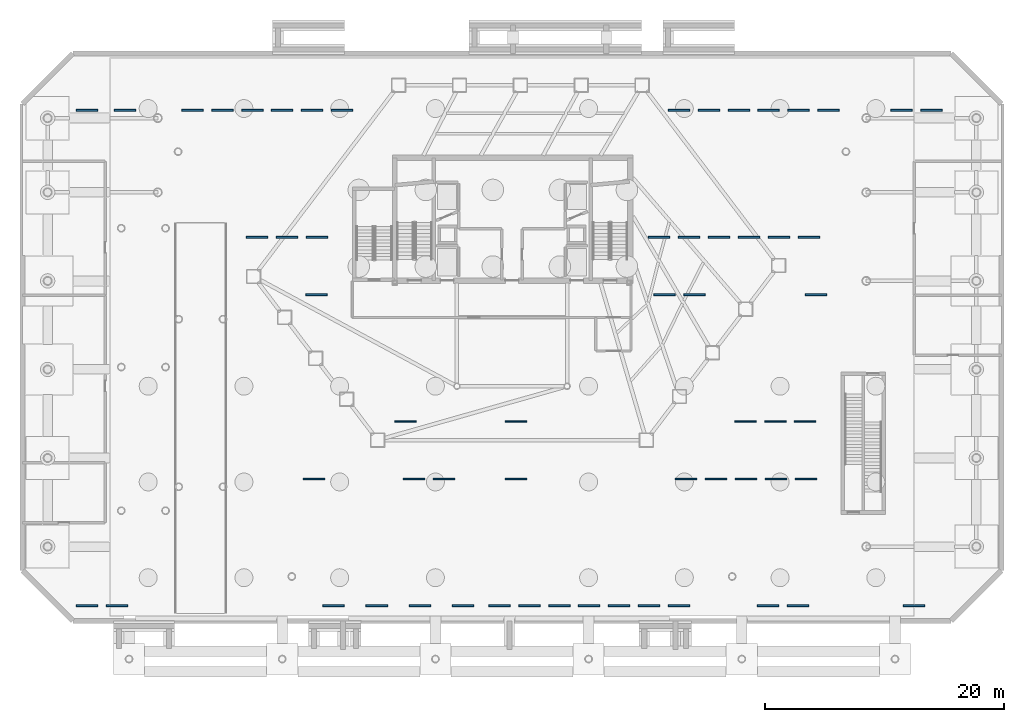
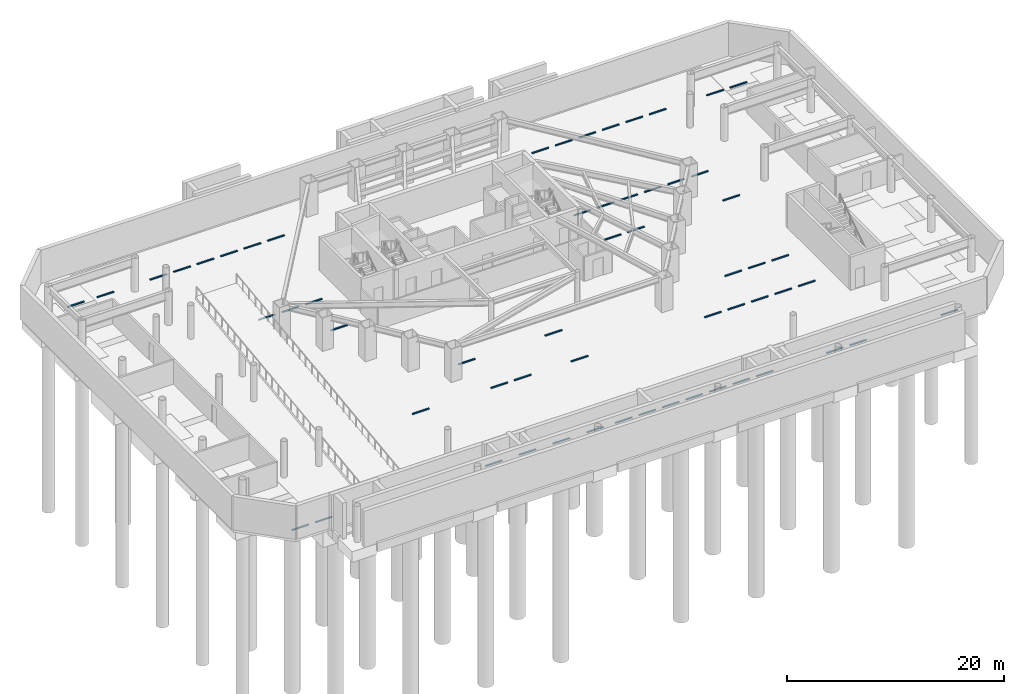
# One storey, part 15 of 19: 59 discrete accessories.
"""IFC4 building model written with IfcOpenShell, lengths in metres."""

from ifc_helpers import new_model, si_unit, direction, frame, origin, origin_2d, place, context, subcontext, project, spatial, rectangle, extrude, material, type_object, element, save


model = new_model("IFC4")

# Units and contexts
model_context = context("Model", 3, precision=1e-05, world=origin(), true_north=direction((0.0, 1.0)))
body_context = subcontext(model_context, "Body", "Model", "MODEL_VIEW")
ifc_project = project(units=[si_unit("LENGTHUNIT", "METRE"), si_unit("AREAUNIT", "SQUARE_METRE"), si_unit("VOLUMEUNIT", "CUBIC_METRE"), si_unit("PLANEANGLEUNIT", "RADIAN"), si_unit("MASSUNIT", "GRAM", prefix="KILO")], contexts=[model_context])

# Site, building, storey
site_placement = place(None, origin())
site = spatial("IfcSite", under=ifc_project, at=site_placement, CompositionType="ELEMENT")
building_placement = place(site_placement, origin())
building = spatial("IfcBuilding", under=site, at=building_placement, Name="Zarrinselat Tower", CompositionType="ELEMENT")
storey_placement = place(building_placement, frame((0.0, 0.0, -8.159912109375)))
storey = spatial("IfcBuildingStorey", under=building, at=storey_placement, Name="B02", CompositionType="ELEMENT", Elevation=-8.159912109375)

# Discrete accessories
ifc_material = material(Name="Precast concrete C40/50", Category="concrete")
discrete_accessory_type = type_object("IfcDiscreteAccessoryType", Name="ACC-WHEEL-STOP", PredefinedType="USERDEFINED", material=ifc_material)
for number, where, z_axis, x_axis, name in (
    (1, (23.5, 6.050048828125, -0.000244140625), (0.0, 0.0, 1.0), (1.0, 0.0, 0.0), "B02 Accessible Parking Bay 01 Wheel Stop"),
    (2, (27.10009765625, 6.050048828125, -0.000244140625), (0.0, 0.0, 1.0), (1.0, 0.0, 0.0), "B02 Accessible Parking Bay 02 Wheel Stop"),
    (3, (30.699951171875, 6.050048828125, -0.000244140625), (0.0, 0.0, 1.0), (1.0, 0.0, 0.0), "B02 Accessible Parking Bay 03 Wheel Stop"),
    (4, (34.300048828125, 6.050048828125, -0.000244140625), (0.0, 0.0, 1.0), (1.0, 0.0, 0.0), "B02 Accessible Parking Bay 04 Wheel Stop"),
    (5, (37.35009765625, 6.050048828125, -0.000244140625), (0.0, 0.0, 1.0), (1.0, 0.0, 0.0), "B02 Car Parking Bay 001 Wheel Stop"),
    (6, (39.85009765625, 6.050048828125, -0.000244140625), (0.0, 0.0, 1.0), (1.0, 0.0, 0.0), "B02 Car Parking Bay 002 Wheel Stop"),
    (7, (42.35009765625, 6.050048828125, -0.000244140625), (0.0, 0.0, 1.0), (1.0, 0.0, 0.0), "B02 Car Parking Bay 003 Wheel Stop"),
    (8, (44.85009765625, 6.050048828125, -0.000244140625), (0.0, 0.0, 1.0), (1.0, 0.0, 0.0), "B02 Car Parking Bay 004 Wheel Stop"),
    (9, (47.35009765625, 6.050048828125, -0.000244140625), (0.0, 0.0, 1.0), (1.0, 0.0, 0.0), "B02 Car Parking Bay 005 Wheel Stop"),
    (10, (49.85009765625, 6.050048828125, -0.000244140625), (0.0, 0.0, 1.0), (1.0, 0.0, 0.0), "B02 Car Parking Bay 006 Wheel Stop"),
    (11, (52.35009765625, 6.050048828125, -0.000244140625), (0.0, 0.0, 1.0), (1.0, 0.0, 0.0), "B02 Car Parking Bay 007 Wheel Stop"),
    (12, (59.800048828125, 6.050048828125, -0.000244140625), (0.0, 0.0, 1.0), (1.0, 0.0, 0.0), "B02 Car Parking Bay 008 Wheel Stop"),
    (13, (62.300048828125, 6.050048828125, -0.000244140625), (0.0, 0.0, 1.0), (1.0, 0.0, 0.0), "B02 Car Parking Bay 009 Wheel Stop"),
    (14, (72.0, 6.050048828125, -0.000244140625), (0.0, 0.0, 1.0), (1.0, 0.0, 0.0), "B02 Car Parking Bay 010 Wheel Stop"),
    (15, (6.050048828125, 47.449951171875, -0.000244140625), (0.0, 0.0, 1.0), (1.0, 0.0, 0.0), "B02 Car Parking Bay 011 Wheel Stop"),
    (16, (11.699951171875, 47.449951171875, -0.000244140625), (0.0, 0.0, 1.0), (1.0, 0.0, 0.0), "B02 Car Parking Bay 012 Wheel Stop"),
    (17, (14.199951171875, 47.449951171875, -0.000244140625), (0.0, 0.0, 1.0), (1.0, 0.0, 0.0), "B02 Car Parking Bay 013 Wheel Stop"),
    (18, (16.699951171875, 47.449951171875, -0.000244140625), (0.0, 0.0, 1.0), (1.0, 0.0, 0.0), "B02 Car Parking Bay 014 Wheel Stop"),
    (19, (19.199951171875, 47.449951171875, -0.000244140625), (0.0, 0.0, 1.0), (1.0, 0.0, 0.0), "B02 Car Parking Bay 015 Wheel Stop"),
    (20, (21.699951171875, 47.449951171875, -0.000244140625), (0.0, 0.0, 1.0), (1.0, 0.0, 0.0), "B02 Car Parking Bay 016 Wheel Stop"),
    (21, (24.199951171875, 47.449951171875, -0.000244140625), (0.0, 0.0, 1.0), (1.0, 0.0, 0.0), "B02 Car Parking Bay 017 Wheel Stop"),
    (22, (52.35009765625, 47.449951171875, -0.000244140625), (0.0, 0.0, 1.0), (1.0, 0.0, 0.0), "B02 Car Parking Bay 018 Wheel Stop"),
    (23, (54.85009765625, 47.449951171875, -0.000244140625), (0.0, 0.0, 1.0), (1.0, 0.0, 0.0), "B02 Car Parking Bay 019 Wheel Stop"),
    (24, (57.35009765625, 47.449951171875, -0.000244140625), (0.0, 0.0, 1.0), (1.0, 0.0, 0.0), "B02 Car Parking Bay 020 Wheel Stop"),
    (25, (59.85009765625, 47.449951171875, -0.000244140625), (0.0, 0.0, 1.0), (1.0, 0.0, 0.0), "B02 Car Parking Bay 021 Wheel Stop"),
    (26, (62.35009765625, 47.449951171875, -0.000244140625), (0.0, 0.0, 1.0), (1.0, 0.0, 0.0), "B02 Car Parking Bay 022 Wheel Stop"),
    (27, (64.85009765625, 47.449951171875, -0.000244140625), (0.0, 0.0, 1.0), (1.0, 0.0, 0.0), "B02 Car Parking Bay 023 Wheel Stop"),
    (28, (70.949951171875, 47.449951171875, -0.000244140625), (0.0, 0.0, 1.0), (1.0, 0.0, 0.0), "B02 Car Parking Bay 024 Wheel Stop"),
    (29, (73.449951171875, 47.449951171875, -0.000244140625), (0.0, 0.0, 1.0), (1.0, 0.0, 0.0), "B02 Car Parking Bay 025 Wheel Stop"),
    (30, (21.85009765625, 16.64990234375, -0.000244140625), (0.0, 0.0, 1.0), (1.0, 0.0, 0.0), "B02 Car Parking Bay 026 Wheel Stop"),
    (31, (30.199951171875, 16.64990234375, -0.000244140625), (0.0, 0.0, 1.0), (1.0, 0.0, 0.0), "B02 Car Parking Bay 027 Wheel Stop"),
    (32, (32.699951171875, 16.64990234375, -0.000244140625), (0.0, 0.0, 1.0), (1.0, 0.0, 0.0), "B02 Car Parking Bay 028 Wheel Stop"),
    (33, (29.5, 21.449951171875, -0.000244140625), (0.0, 0.0, 1.0), (1.0, 0.0, 0.0), "B02 Car Parking Bay 029 Wheel Stop"),
    (34, (52.949951171875, 16.64990234375, -0.000244140625), (0.0, 0.0, 1.0), (1.0, 0.0, 0.0), "B02 Car Parking Bay 030 Wheel Stop"),
    (35, (55.449951171875, 16.64990234375, -0.000244140625), (0.0, 0.0, 1.0), (1.0, 0.0, 0.0), "B02 Car Parking Bay 031 Wheel Stop"),
    (36, (57.949951171875, 16.64990234375, -0.000244140625), (0.0, 0.0, 1.0), (1.0, 0.0, 0.0), "B02 Car Parking Bay 032 Wheel Stop"),
    (37, (60.449951171875, 16.64990234375, -0.000244140625), (0.0, 0.0, 1.0), (1.0, 0.0, 0.0), "B02 Car Parking Bay 033 Wheel Stop"),
    (38, (62.949951171875, 16.64990234375, -0.000244140625), (0.0, 0.0, 1.0), (1.0, 0.0, 0.0), "B02 Car Parking Bay 034 Wheel Stop"),
    (39, (57.89990234375, 21.449951171875, -0.000244140625), (0.0, 0.0, 1.0), (1.0, 0.0, 0.0), "B02 Car Parking Bay 035 Wheel Stop"),
    (40, (60.39990234375, 21.449951171875, -0.000244140625), (0.0, 0.0, 1.0), (1.0, 0.0, 0.0), "B02 Car Parking Bay 036 Wheel Stop"),
    (41, (62.89990234375, 21.449951171875, -0.000244140625), (0.0, 0.0, 1.0), (1.0, 0.0, 0.0), "B02 Car Parking Bay 037 Wheel Stop"),
    (42, (50.699951171875, 36.85009765625, -0.000244140625), (0.0, 0.0, 1.0), (1.0, 0.0, 0.0), "B02 Car Parking Bay 038 Wheel Stop"),
    (43, (53.199951171875, 36.85009765625, -0.000244140625), (0.0, 0.0, 1.0), (1.0, 0.0, 0.0), "B02 Car Parking Bay 039 Wheel Stop"),
    (44, (55.699951171875, 36.85009765625, -0.000244140625), (0.0, 0.0, 1.0), (1.0, 0.0, 0.0), "B02 Car Parking Bay 040 Wheel Stop"),
    (45, (58.199951171875, 36.85009765625, -0.000244140625), (0.0, 0.0, 1.0), (1.0, 0.0, 0.0), "B02 Car Parking Bay 041 Wheel Stop"),
    (46, (60.699951171875, 36.85009765625, -0.000244140625), (0.0, 0.0, 1.0), (1.0, 0.0, 0.0), "B02 Car Parking Bay 042 Wheel Stop"),
    (47, (63.199951171875, 36.85009765625, -0.000244140625), (0.0, 0.0, 1.0), (1.0, 0.0, 0.0), "B02 Car Parking Bay 043 Wheel Stop"),
    (48, (51.14990234375, 32.050048828125, -0.000244140625), (0.0, 0.0, 1.0), (1.0, 0.0, 0.0), "B02 Car Parking Bay 044 Wheel Stop"),
    (49, (53.64990234375, 32.050048828125, -0.000244140625), (0.0, 0.0, 1.0), (1.0, 0.0, 0.0), "B02 Car Parking Bay 045 Wheel Stop"),
    (50, (63.800048828125, 32.050048828125, -0.000244140625), (0.0, 0.0, 1.0), (1.0, 0.0, 0.0), "B02 Car Parking Bay 046 Wheel Stop"),
    (51, (17.10009765625, 36.85009765625, -0.000244140625), (0.0, 0.0, 1.0), (1.0, 0.0, 0.0), "B02 Car Parking Bay 047 Wheel Stop"),
    (52, (19.60009765625, 36.85009765625, -0.000244140625), (0.0, 0.0, 1.0), (1.0, 0.0, 0.0), "B02 Car Parking Bay 048 Wheel Stop"),
    (53, (22.10009765625, 36.85009765625, -0.000244140625), (0.0, 0.0, 1.0), (1.0, 0.0, 0.0), "B02 Car Parking Bay 049 Wheel Stop"),
    (54, (22.050048828125, 32.050048828125, -0.000244140625), (0.0, 0.0, 1.0), (1.0, 0.0, 0.0), "B02 Car Parking Bay 050 Wheel Stop"),
    (55, (2.89990234375, 6.050048828125, -0.000244140625), (0.0, 0.0, 1.0), (1.0, 0.0, 0.0), "B02 Car Parking Bay 051 Wheel Stop"),
    (56, (5.39990234375, 6.050048828125, -0.000244140625), (0.0, 0.0, 1.0), (1.0, 0.0, 0.0), "B02 Car Parking Bay 052 Wheel Stop"),
    (57, (2.89990234375, 47.449951171875, -0.000244140625), (0.0, 0.0, 1.0), (1.0, 0.0, 0.0), "B02 Car Parking Bay 053 Wheel Stop"),
    (58, (38.75, 21.449951171875, -0.000244140625), (0.0, 0.0, 1.0), (1.0, 0.0, 0.0), "B02 Car Parking Bay 054 Wheel Stop"),
    (59, (38.75, 16.64990234375, -0.000244140625), (0.0, 0.0, 1.0), (1.0, 0.0, 0.0), "B02 Car Parking Bay 055 Wheel Stop"),
):
    element("IfcDiscreteAccessory", number, at=place(storey_placement, frame(where, z_axis=z_axis, x_axis=x_axis)), inside=storey, type_object=discrete_accessory_type, Name=name, ObjectType="WHEEL_STOP", PredefinedType="USERDEFINED", context=body_context, shape_type="SweptSolid", body=[
        extrude(rectangle(XDim=1.800048828125, YDim=0.14990234375, at=origin_2d()), origin(), (0.0, 0.0, 1.0), 0.1201171875),
    ])

save(model, "model.ifc")
